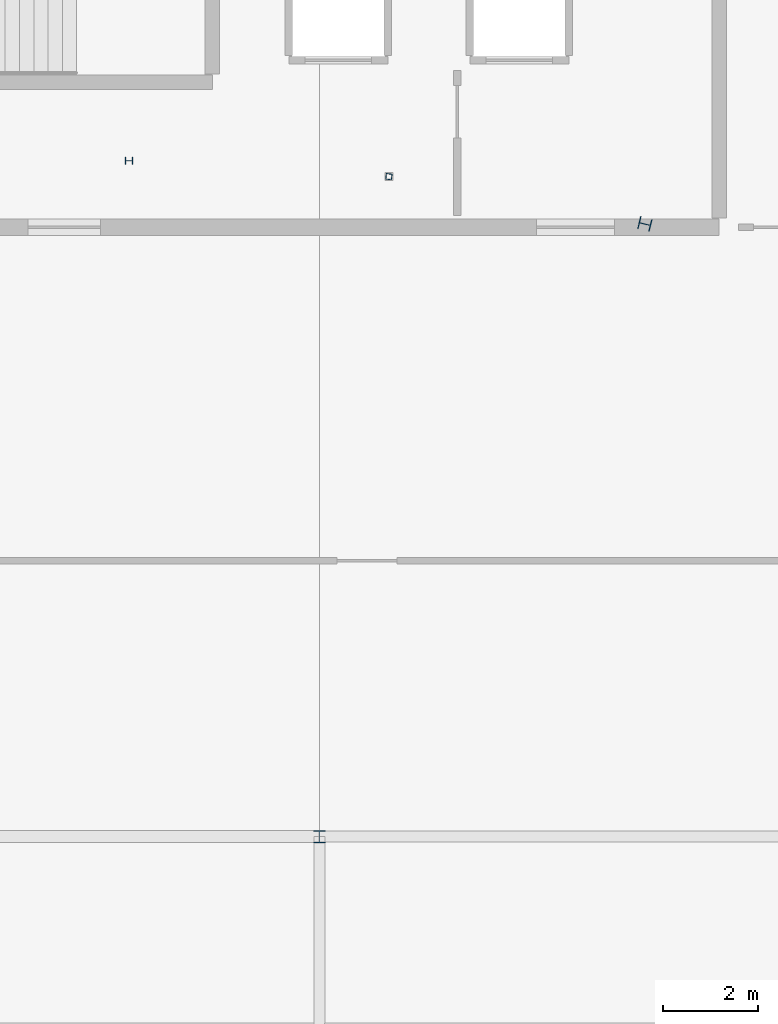
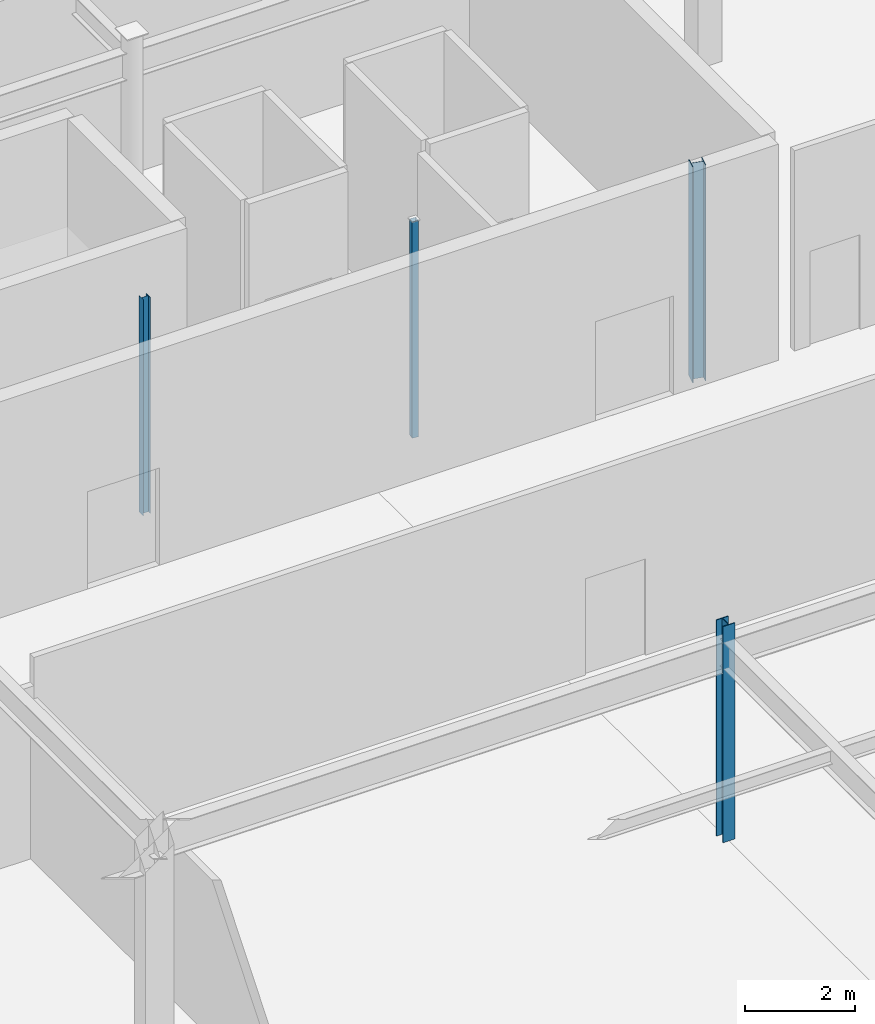
# One storey, part 34 of 199: 4 columns.
"""IFC4 building model written with IfcOpenShell, lengths in metres."""

from ifc_helpers import new_model, si_unit, direction, frame, origin, origin_2d, place, context, subcontext, project, spatial, hollow_rectangle, i_section, extrude, material, material_profile, profile_set, type_object, element, save


model = new_model("IFC4")

# Units and contexts
model_context = context("Model", 3, precision=1e-05, world=origin(), true_north=direction((0.0, 1.0)))
body_context = subcontext(model_context, "Body", "Model", "MODEL_VIEW")
ifc_project = project(units=[si_unit("LENGTHUNIT", "METRE"), si_unit("AREAUNIT", "SQUARE_METRE"), si_unit("VOLUMEUNIT", "CUBIC_METRE"), si_unit("PLANEANGLEUNIT", "RADIAN"), si_unit("MASSUNIT", "GRAM", prefix="KILO")], contexts=[model_context])

# Site, building, storey
site_placement = place(None, origin())
site = spatial("IfcSite", under=ifc_project, at=site_placement, CompositionType="ELEMENT")
building_placement = place(site_placement, origin())
building = spatial("IfcBuilding", under=site, at=building_placement, Name="Tarnwether General Hospital", CompositionType="ELEMENT")
storey_placement = place(building_placement, origin())
storey = spatial("IfcBuildingStorey", under=building, at=storey_placement, Name="L00", CompositionType="ELEMENT", Elevation=0.0)

# Columns
ifc_material_1 = material(Name="Steel Grade 350 (350 MPa)", Category="steel")
ifc_material_profile_1 = material_profile(ifc_material_1, i_section(OverallWidth=0.256103515625, OverallDepth=0.260009765625, WebThickness=0.010498046875, FlangeThickness=0.017333984375, at=origin_2d()), Name="250UC89.5")
ifc_profile_set_1 = profile_set([ifc_material_profile_1], Name="Steel Grade 350 (350 MPa)")
column_type_1 = type_object("IfcColumnType", Name="COL-09", PredefinedType="COLUMN", material=ifc_profile_set_1)
column_1_placement = place(storey_placement, frame((96.0, 93.60009765625, 0.0), z_axis=(0.0, 0.0, 1.0), x_axis=(1.0, 0.0, 0.0)))
element("IfcColumn", 1, at=column_1_placement, inside=storey, type_object=column_type_1, Name="Column COLG-L00-9600_9360", PredefinedType="COLUMN", context=body_context, shape_type="SweptSolid", body=[
    extrude(i_section(OverallWidth=0.256103515625, OverallDepth=0.260009765625, WebThickness=0.010498046875, FlangeThickness=0.017333984375, at=origin_2d()), origin(), (0.0, 0.0, 1.0), 4.800048828125),
])
ifc_material_2 = material(Name="Steel Grade 350 (350 MPa)", Category="steel")
ifc_material_profile_2 = material_profile(ifc_material_2, i_section(OverallWidth=0.25390625, OverallDepth=0.25390625, WebThickness=0.008544921875, FlangeThickness=0.01416015625, at=origin_2d()), Name="250UC72.9")
ifc_profile_set_2 = profile_set([ifc_material_profile_2], Name="Steel Grade 350 (350 MPa)")
column_type_2 = type_object("IfcColumnType", Name="COL-24", PredefinedType="COLUMN", material=ifc_profile_set_2)
column_2_placement = place(storey_placement, frame((102.837890625, 106.468994140625, 0.0), z_axis=(0.0, 0.0, 1.0), x_axis=(0.2419218956, 0.970295726276, 0.0)))
element("IfcColumn", 2, at=column_2_placement, inside=storey, type_object=column_type_2, Name="Column COLG-L00-10284_10647", PredefinedType="COLUMN", context=body_context, shape_type="SweptSolid", body=[
    extrude(i_section(OverallWidth=0.25390625, OverallDepth=0.25390625, WebThickness=0.008544921875, FlangeThickness=0.01416015625, at=origin_2d()), origin(), (0.0, 0.0, 1.0), 4.800048828125),
])
ifc_material_3 = material(Name="Steel Grade 350 (350 MPa)", Category="steel")
ifc_material_profile_3 = material_profile(ifc_material_3, i_section(OverallWidth=0.152099609375, OverallDepth=0.152099609375, WebThickness=0.006103515625, FlangeThickness=0.0068359375, at=origin_2d()), Name="150UC23.4")
ifc_profile_set_3 = profile_set([ifc_material_profile_3], Name="Steel Grade 350 (350 MPa)")
column_type_3 = type_object("IfcColumnType", Name="COL-32", PredefinedType="COLUMN", material=ifc_profile_set_3)
column_3_placement = place(storey_placement, frame((92.0, 107.800048828125, 0.0), z_axis=(0.0, 0.0, 1.0), x_axis=(0.0, 1.0, 0.0)))
element("IfcColumn", 3, at=column_3_placement, inside=storey, type_object=column_type_3, Name="Column COLG-L00-9200_10780", PredefinedType="COLUMN", context=body_context, shape_type="SweptSolid", body=[
    extrude(i_section(OverallWidth=0.152099609375, OverallDepth=0.152099609375, WebThickness=0.006103515625, FlangeThickness=0.0068359375, at=origin_2d()), origin(), (0.0, 0.0, 1.0), 4.800048828125),
])
ifc_material_4 = material(Name="Steel Grade C350L0 (350 MPa)", Category="steel")
ifc_material_profile_4 = material_profile(ifc_material_4, hollow_rectangle(XDim=0.125, YDim=0.125, WallThickness=0.006103515625, at=origin_2d()), Name="SHS125x125x6")
ifc_profile_set_4 = profile_set([ifc_material_profile_4], Name="Steel Grade C350L0 (350 MPa)")
column_type_4 = type_object("IfcColumnType", Name="COL-34", PredefinedType="COLUMN", material=ifc_profile_set_4)
column_4_placement = place(storey_placement, frame((97.4599609375, 107.466064453125, 0.0), z_axis=(0.0, 0.0, 1.0), x_axis=(0.121869343405, 0.992546151641, 0.0)))
element("IfcColumn", 4, at=column_4_placement, inside=storey, type_object=column_type_4, Name="Column COLG-L00-9746_10747", PredefinedType="COLUMN", context=body_context, shape_type="SweptSolid", body=[
    extrude(hollow_rectangle(XDim=0.125, YDim=0.125, WallThickness=0.006103515625, at=origin_2d()), origin(), (0.0, 0.0, 1.0), 4.800048828125),
])

save(model, "model.ifc")
